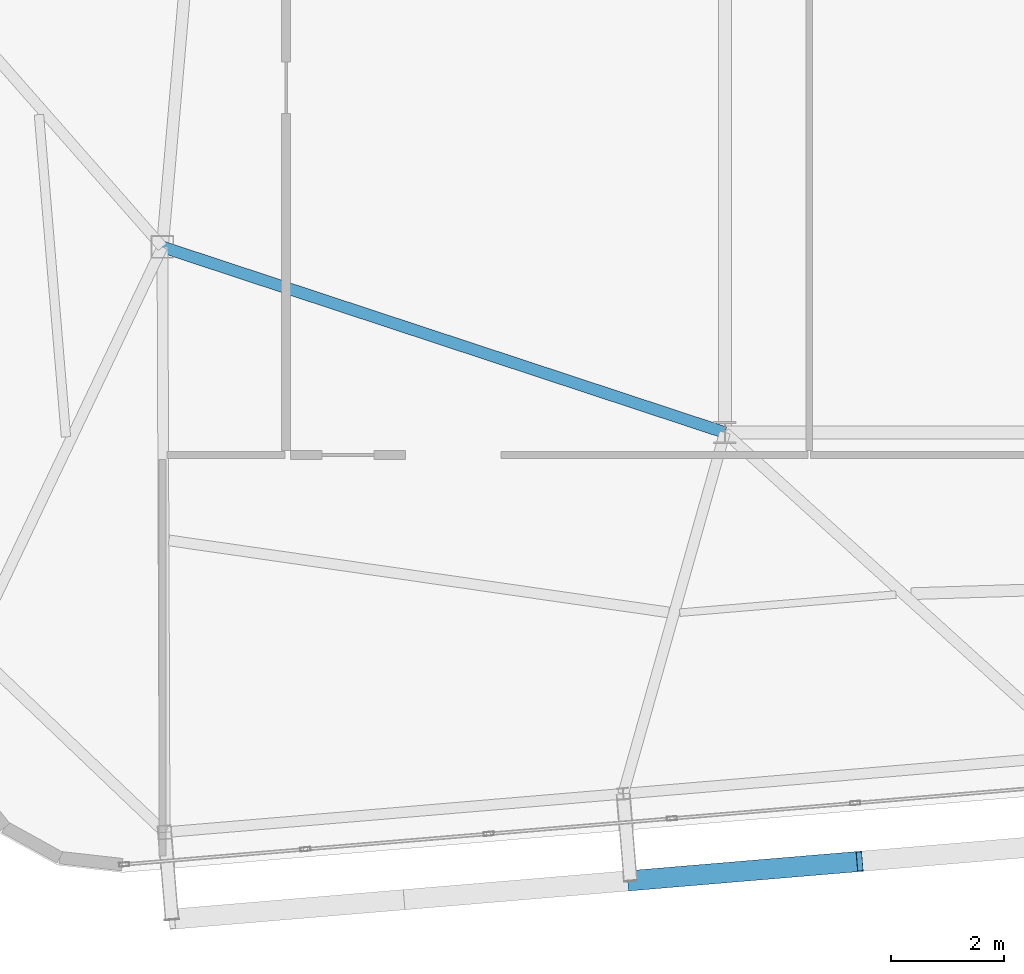
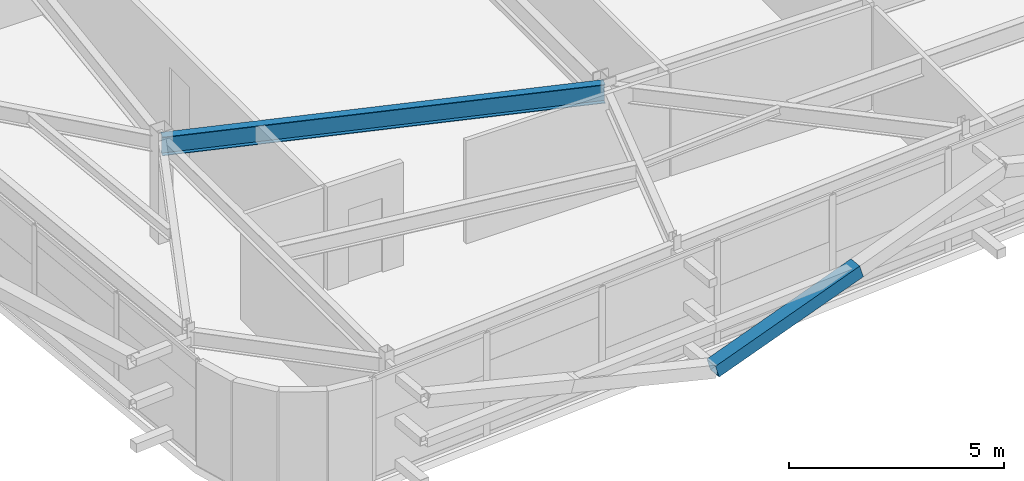
# One storey, part 10 of 46: 1 beam, 1 member.
"""IFC4 building model written with IfcOpenShell, lengths in metres."""

from ifc_helpers import new_model, si_unit, direction, frame, origin, origin_2d, place, context, subcontext, project, spatial, hollow_rectangle, i_section, extrude, source, transform, mapped, material, material_profile, profile_set, type_object, element, save


model = new_model("IFC4")

# Units and contexts
model_context = context("Model", 3, precision=1e-05, world=origin(), true_north=direction((0.0, 1.0)))
body_context = subcontext(model_context, "Body", "Model", "MODEL_VIEW")
ifc_project = project(units=[si_unit("LENGTHUNIT", "METRE"), si_unit("AREAUNIT", "SQUARE_METRE"), si_unit("VOLUMEUNIT", "CUBIC_METRE"), si_unit("PLANEANGLEUNIT", "RADIAN"), si_unit("MASSUNIT", "GRAM", prefix="KILO")], contexts=[model_context])

# Site, building, storey
site_placement = place(None, origin())
site = spatial("IfcSite", under=ifc_project, at=site_placement, CompositionType="ELEMENT")
building_placement = place(site_placement, origin())
building = spatial("IfcBuilding", under=site, at=building_placement, Name="Taldren Reach Tower", CompositionType="ELEMENT")
storey_placement = place(building_placement, frame((0.0, 0.0, 188.300048828125)))
storey = spatial("IfcBuildingStorey", under=building, at=storey_placement, Name="L57", CompositionType="ELEMENT", Elevation=188.300048828125)

# Beam
ifc_material_1 = material(Name="Steel Gr 350 (350PLUS)", Category="steel")
ifc_material_profile_1 = material_profile(ifc_material_1, i_section(OverallWidth=0.208984375, OverallDepth=0.532958984375, WebThickness=0.01025390625, FlangeThickness=0.015625, at=origin_2d()), Name="530UB92.4")
ifc_profile_set_1 = profile_set([ifc_material_profile_1], Name="Steel Gr 350 (350PLUS)")
beam_type = type_object("IfcBeamType", Name="BM-UB530A", PredefinedType="BEAM", material=ifc_profile_set_1)
shared_shape_1 = source(origin(), body_context, "Body", "SweptSolid", [
    extrude(i_section(OverallWidth=0.208984375, OverallDepth=0.532958984375, WebThickness=0.01025390625, FlangeThickness=0.015625, at=origin_2d()), origin(), (0.0, 0.0, 1.0), 10.530517578125),
])
beam_placement = place(storey_placement, frame((18.0, 12.5, 2.663330078125), z_axis=(0.949627269203, -0.313381635689, 0.0), x_axis=(0.313381635689, 0.949627269203, 0.0)))
element("IfcBeam", 1, at=beam_placement, inside=storey, type_object=beam_type, Name="Core-spine girder L57-SP10", PredefinedType="BEAM", context=body_context, shape_type="MappedRepresentation", body=[
    mapped(shared_shape_1, transform((0.0, 0.0, 0.0), scale=1.0)),
])

# Member
ifc_material_2 = material(Name="Steel Gr 450 (C450L0)", Category="steel")
ifc_material_profile_2 = material_profile(ifc_material_2, hollow_rectangle(XDim=0.360107421875, YDim=0.360107421875, WallThickness=0.0126953125, at=origin_2d()), Name="360x360x12.7SHS")
ifc_profile_set_2 = profile_set([ifc_material_profile_2], Name="Steel Gr 450 (C450L0)")
member_type = type_object("IfcMemberType", Name="MB-EXO356", PredefinedType="BRACE", material=ifc_profile_set_2)
shared_shape_2 = source(origin(), body_context, "Body", "SweptSolid", [
    extrude(hollow_rectangle(XDim=0.360107421875, YDim=0.360107421875, WallThickness=0.0126953125, at=origin_2d()), origin(), (0.0, 0.0, 1.0), 4.2666015625),
])
member_placement = place(storey_placement, frame((26.320556640625, 1.23388671875, 0.219970703125), z_axis=(0.955229159097, 0.080222312271, 0.284783486572), x_axis=(-0.083687662192, 0.996492034688, 0.0)))
element("IfcMember", 2, at=member_placement, inside=storey, type_object=member_type, Name="Exoskeleton Diagrid Brace B4-S2 L57", PredefinedType="BRACE", context=body_context, shape_type="MappedRepresentation", body=[
    mapped(shared_shape_2, transform((0.0, 0.0, 0.0), scale=1.0)),
])

save(model, "model.ifc")
